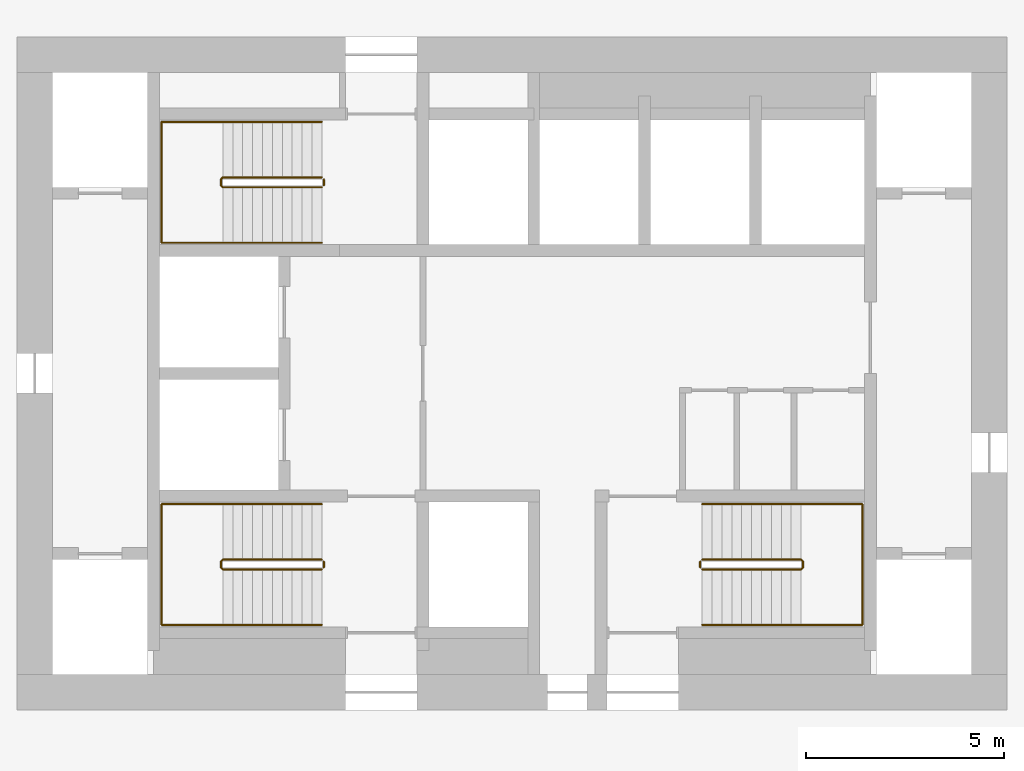
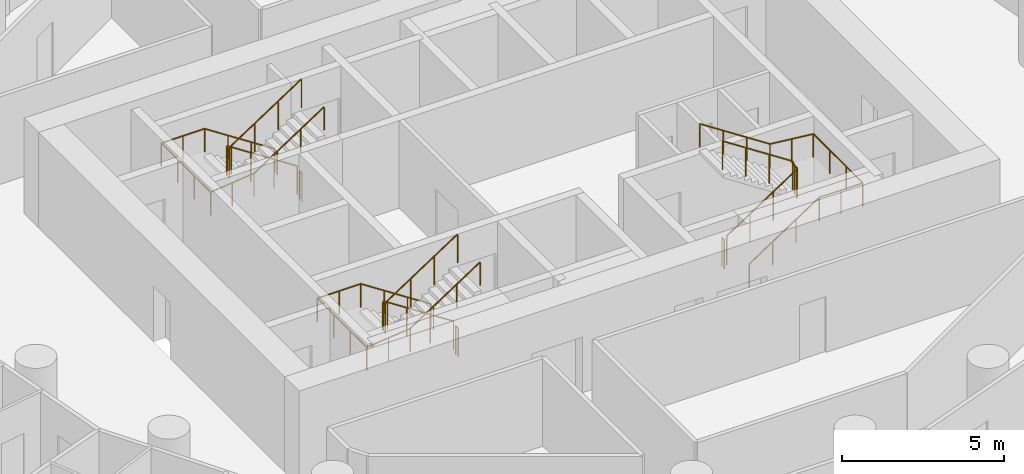
# One storey, part 9 of 9: 9 railings.
"""IFC4 building model written with IfcOpenShell, lengths in metres."""

from ifc_helpers import new_model, si_unit, direction, frame, origin, origin_2d, place, context, subcontext, project, spatial, circle, extrude, material, type_object, element, save


model = new_model("IFC4")

# Units and contexts
model_context = context("Model", 3, precision=1e-05, world=origin(), true_north=direction((0.0, 1.0)))
body_context = subcontext(model_context, "Body", "Model", "MODEL_VIEW")
ifc_project = project(units=[si_unit("LENGTHUNIT", "METRE"), si_unit("AREAUNIT", "SQUARE_METRE"), si_unit("VOLUMEUNIT", "CUBIC_METRE"), si_unit("PLANEANGLEUNIT", "RADIAN"), si_unit("MASSUNIT", "GRAM", prefix="KILO")], contexts=[model_context])

# Site, building, storey
site_placement = place(None, origin())
site = spatial("IfcSite", under=ifc_project, at=site_placement, CompositionType="ELEMENT")
building_placement = place(site_placement, origin())
building = spatial("IfcBuilding", under=site, at=building_placement, Name="Tracery Tower", CompositionType="ELEMENT")
storey_placement = place(building_placement, frame((0.0, 0.0, 201.60009765625)))
storey = spatial("IfcBuildingStorey", under=building, at=storey_placement, Name="L52", CompositionType="ELEMENT", Elevation=201.60009765625)

# Railings
ifc_material_1 = material(Name="Stainless steel and laminated glass", Category="steel")
railing_type_1 = type_object("IfcRailingType", Name="Stair guard 1100", PredefinedType="GUARDRAIL", material=ifc_material_1)
railing_1_placement = place(storey_placement, frame((-4.800048828125, -4.699951171875, 0.16357421875)))
element("IfcRailing", 1, at=railing_1_placement, inside=storey, type_object=railing_type_1, Name="L52 stair ST1 guard 1", PredefinedType="GUARDRAIL", context=body_context, shape_type="SweptSolid", body=[
    extrude(circle(Radius=0.02392578125, at=origin_2d()), frame((0.0, 0.0, 1.076171875), z_axis=(-0.836721939367, 0.0, 0.547627972425), x_axis=(0.0, -1.0, 0.0)), (0.0, 0.0, 1.0), 2.98779296875),
    extrude(circle(Radius=0.02392578125, at=origin_2d()), frame((-2.5, 0.0, 2.71240234375), z_axis=(-0.707106781187, -0.707106781187, 0.0), x_axis=(0.707106781187, -0.707106781187, 0.0)), (0.0, 0.0, 1.0), 0.07080078125),
    extrude(circle(Radius=0.02392578125, at=origin_2d()), frame((-2.550048828125, -0.050048828125, 2.71240234375), z_axis=(0.0, -1.0, 0.0), x_axis=(1.0, 0.0, 0.0)), (0.0, 0.0, 1.0), 0.14990234375),
    extrude(circle(Radius=0.02392578125, at=origin_2d()), frame((-2.550048828125, -0.199951171875, 2.71240234375), z_axis=(0.280456126637, -0.280456126637, 0.917980785237), x_axis=(0.707106781187, 0.707106781187, 0.0)), (0.0, 0.0, 1.0), 0.178466796875),
    extrude(circle(Radius=0.02392578125, at=origin_2d()), frame((-2.5, -0.25, 2.8759765625), z_axis=(0.836721939367, 0.0, 0.547627972425), x_axis=(0.0, 1.0, 0.0)), (0.0, 0.0, 1.0), 2.98779296875),
    extrude(circle(Radius=0.02099609375, at=origin_2d()), origin(), (0.0, 0.0, 1.0), 1.052001953125),
    extrude(circle(Radius=0.02099609375, at=origin_2d()), frame((-0.833251953125, 0.0, 0.54541015625)), (0.0, 0.0, 1.0), 1.052001953125),
    extrude(circle(Radius=0.02099609375, at=origin_2d()), frame((-1.666748046875, 0.0, 1.0908203125)), (0.0, 0.0, 1.0), 1.052001953125),
    extrude(circle(Radius=0.02099609375, at=origin_2d()), frame((-2.5, 0.0, 1.63623046875)), (0.0, 0.0, 1.0), 1.052001953125),
    extrude(circle(Radius=0.02099609375, at=origin_2d()), frame((-2.550048828125, -0.050048828125, 1.63623046875)), (0.0, 0.0, 1.0), 1.052001953125),
    extrude(circle(Radius=0.02099609375, at=origin_2d()), frame((-2.550048828125, -0.199951171875, 1.63623046875)), (0.0, 0.0, 1.0), 1.052001953125),
    extrude(circle(Radius=0.02099609375, at=origin_2d()), frame((-2.5, -0.25, 1.800048828125)), (0.0, 0.0, 1.0), 1.052001953125),
    extrude(circle(Radius=0.02099609375, at=origin_2d()), frame((-1.666748046875, -0.25, 2.345458984375)), (0.0, 0.0, 1.0), 1.052001953125),
    extrude(circle(Radius=0.02099609375, at=origin_2d()), frame((-0.833251953125, -0.25, 2.890869140625)), (0.0, 0.0, 1.0), 1.052001953125),
    extrude(circle(Radius=0.02099609375, at=origin_2d()), frame((0.0, -0.25, 3.436279296875)), (0.0, 0.0, 1.0), 1.052001953125),
])
railing_2_placement = place(storey_placement, frame((-4.75, -4.75, 0.0)))
element("IfcRailing", 2, at=railing_2_placement, inside=storey, type_object=railing_type_1, Name="L52 stair ST1 guard 2", PredefinedType="GUARDRAIL", context=body_context, shape_type="SweptSolid", body=[
    extrude(circle(Radius=0.02392578125, at=origin_2d()), frame((0.0, 0.0, 1.076171875), z_axis=(0.0, -1.0, 0.0), x_axis=(1.0, 0.0, 0.0)), (0.0, 0.0, 1.0), 0.14990234375),
    extrude(circle(Radius=0.02099609375, at=origin_2d()), origin(), (0.0, 0.0, 1.0), 1.052001953125),
    extrude(circle(Radius=0.02099609375, at=origin_2d()), frame((0.0, -0.14990234375, 0.0)), (0.0, 0.0, 1.0), 1.052001953125),
])
railing_3_placement = place(storey_placement, frame((-4.800048828125, 4.949951171875, 0.16357421875)))
element("IfcRailing", 3, at=railing_3_placement, inside=storey, type_object=railing_type_1, Name="L52 stair ST3 guard 1", PredefinedType="GUARDRAIL", context=body_context, shape_type="SweptSolid", body=[
    extrude(circle(Radius=0.02392578125, at=origin_2d()), frame((0.0, 0.0, 1.076171875), z_axis=(-0.836721939367, 0.0, 0.547627972425), x_axis=(0.0, -1.0, 0.0)), (0.0, 0.0, 1.0), 2.98779296875),
    extrude(circle(Radius=0.02392578125, at=origin_2d()), frame((-2.5, 0.0, 2.71240234375), z_axis=(-0.707106781187, -0.707106781187, 0.0), x_axis=(0.707106781187, -0.707106781187, 0.0)), (0.0, 0.0, 1.0), 0.07080078125),
    extrude(circle(Radius=0.02392578125, at=origin_2d()), frame((-2.550048828125, -0.050048828125, 2.71240234375), z_axis=(0.0, -1.0, 0.0), x_axis=(1.0, 0.0, 0.0)), (0.0, 0.0, 1.0), 0.14990234375),
    extrude(circle(Radius=0.02392578125, at=origin_2d()), frame((-2.550048828125, -0.199951171875, 2.71240234375), z_axis=(0.280456126637, -0.280456126637, 0.917980785237), x_axis=(0.707106781187, 0.707106781187, 0.0)), (0.0, 0.0, 1.0), 0.178466796875),
    extrude(circle(Radius=0.02392578125, at=origin_2d()), frame((-2.5, -0.25, 2.8759765625), z_axis=(0.836721939367, 0.0, 0.547627972425), x_axis=(0.0, 1.0, 0.0)), (0.0, 0.0, 1.0), 2.98779296875),
    extrude(circle(Radius=0.02099609375, at=origin_2d()), origin(), (0.0, 0.0, 1.0), 1.052001953125),
    extrude(circle(Radius=0.02099609375, at=origin_2d()), frame((-0.833251953125, 0.0, 0.54541015625)), (0.0, 0.0, 1.0), 1.052001953125),
    extrude(circle(Radius=0.02099609375, at=origin_2d()), frame((-1.666748046875, 0.0, 1.0908203125)), (0.0, 0.0, 1.0), 1.052001953125),
    extrude(circle(Radius=0.02099609375, at=origin_2d()), frame((-2.5, 0.0, 1.63623046875)), (0.0, 0.0, 1.0), 1.052001953125),
    extrude(circle(Radius=0.02099609375, at=origin_2d()), frame((-2.550048828125, -0.050048828125, 1.63623046875)), (0.0, 0.0, 1.0), 1.052001953125),
    extrude(circle(Radius=0.02099609375, at=origin_2d()), frame((-2.550048828125, -0.199951171875, 1.63623046875)), (0.0, 0.0, 1.0), 1.052001953125),
    extrude(circle(Radius=0.02099609375, at=origin_2d()), frame((-2.5, -0.25, 1.800048828125)), (0.0, 0.0, 1.0), 1.052001953125),
    extrude(circle(Radius=0.02099609375, at=origin_2d()), frame((-1.666748046875, -0.25, 2.345458984375)), (0.0, 0.0, 1.0), 1.052001953125),
    extrude(circle(Radius=0.02099609375, at=origin_2d()), frame((-0.833251953125, -0.25, 2.890869140625)), (0.0, 0.0, 1.0), 1.052001953125),
    extrude(circle(Radius=0.02099609375, at=origin_2d()), frame((0.0, -0.25, 3.436279296875)), (0.0, 0.0, 1.0), 1.052001953125),
])
railing_4_placement = place(storey_placement, frame((-4.75, 4.89990234375, 0.0)))
element("IfcRailing", 4, at=railing_4_placement, inside=storey, type_object=railing_type_1, Name="L52 stair ST3 guard 2", PredefinedType="GUARDRAIL", context=body_context, shape_type="SweptSolid", body=[
    extrude(circle(Radius=0.02392578125, at=origin_2d()), frame((0.0, 0.0, 1.076171875), z_axis=(0.0, -1.0, 0.0), x_axis=(1.0, 0.0, 0.0)), (0.0, 0.0, 1.0), 0.14990234375),
    extrude(circle(Radius=0.02099609375, at=origin_2d()), origin(), (0.0, 0.0, 1.0), 1.052001953125),
    extrude(circle(Radius=0.02099609375, at=origin_2d()), frame((0.0, -0.14990234375, 0.0)), (0.0, 0.0, 1.0), 1.052001953125),
])
railing_5_placement = place(storey_placement, frame((4.800048828125, -4.949951171875, 0.16357421875)))
element("IfcRailing", 5, at=railing_5_placement, inside=storey, type_object=railing_type_1, Name="L52 stair ST2 guard 1", PredefinedType="GUARDRAIL", context=body_context, shape_type="SweptSolid", body=[
    extrude(circle(Radius=0.02392578125, at=origin_2d()), frame((0.0, 0.0, 1.076171875), z_axis=(0.836721939367, 0.0, 0.547627972425), x_axis=(0.0, 1.0, 0.0)), (0.0, 0.0, 1.0), 2.98779296875),
    extrude(circle(Radius=0.02392578125, at=origin_2d()), frame((2.5, 0.0, 2.71240234375), z_axis=(0.707106781187, 0.707106781187, 0.0), x_axis=(-0.707106781187, 0.707106781187, 0.0)), (0.0, 0.0, 1.0), 0.07080078125),
    extrude(circle(Radius=0.02392578125, at=origin_2d()), frame((2.550048828125, 0.050048828125, 2.71240234375), z_axis=(0.0, 1.0, 0.0), x_axis=(-1.0, 0.0, 0.0)), (0.0, 0.0, 1.0), 0.14990234375),
    extrude(circle(Radius=0.02392578125, at=origin_2d()), frame((2.550048828125, 0.199951171875, 2.71240234375), z_axis=(-0.280456126637, 0.280456126637, 0.917980785237), x_axis=(-0.707106781187, -0.707106781187, 0.0)), (0.0, 0.0, 1.0), 0.178466796875),
    extrude(circle(Radius=0.02392578125, at=origin_2d()), frame((2.5, 0.25, 2.8759765625), z_axis=(-0.836721939367, 0.0, 0.547627972425), x_axis=(0.0, -1.0, 0.0)), (0.0, 0.0, 1.0), 2.98779296875),
    extrude(circle(Radius=0.02099609375, at=origin_2d()), origin(), (0.0, 0.0, 1.0), 1.052001953125),
    extrude(circle(Radius=0.02099609375, at=origin_2d()), frame((0.833251953125, 0.0, 0.54541015625)), (0.0, 0.0, 1.0), 1.052001953125),
    extrude(circle(Radius=0.02099609375, at=origin_2d()), frame((1.666748046875, 0.0, 1.0908203125)), (0.0, 0.0, 1.0), 1.052001953125),
    extrude(circle(Radius=0.02099609375, at=origin_2d()), frame((2.5, 0.0, 1.63623046875)), (0.0, 0.0, 1.0), 1.052001953125),
    extrude(circle(Radius=0.02099609375, at=origin_2d()), frame((2.550048828125, 0.050048828125, 1.63623046875)), (0.0, 0.0, 1.0), 1.052001953125),
    extrude(circle(Radius=0.02099609375, at=origin_2d()), frame((2.550048828125, 0.199951171875, 1.63623046875)), (0.0, 0.0, 1.0), 1.052001953125),
    extrude(circle(Radius=0.02099609375, at=origin_2d()), frame((2.5, 0.25, 1.800048828125)), (0.0, 0.0, 1.0), 1.052001953125),
    extrude(circle(Radius=0.02099609375, at=origin_2d()), frame((1.666748046875, 0.25, 2.345458984375)), (0.0, 0.0, 1.0), 1.052001953125),
    extrude(circle(Radius=0.02099609375, at=origin_2d()), frame((0.833251953125, 0.25, 2.890869140625)), (0.0, 0.0, 1.0), 1.052001953125),
    extrude(circle(Radius=0.02099609375, at=origin_2d()), frame((0.0, 0.25, 3.436279296875)), (0.0, 0.0, 1.0), 1.052001953125),
])
railing_6_placement = place(storey_placement, frame((4.75, -4.89990234375, 0.0)))
element("IfcRailing", 6, at=railing_6_placement, inside=storey, type_object=railing_type_1, Name="L52 stair ST2 guard 2", PredefinedType="GUARDRAIL", context=body_context, shape_type="SweptSolid", body=[
    extrude(circle(Radius=0.02392578125, at=origin_2d()), frame((0.0, 0.0, 1.076171875), z_axis=(0.0, 1.0, 0.0), x_axis=(-1.0, 0.0, 0.0)), (0.0, 0.0, 1.0), 0.14990234375),
    extrude(circle(Radius=0.02099609375, at=origin_2d()), origin(), (0.0, 0.0, 1.0), 1.052001953125),
    extrude(circle(Radius=0.02099609375, at=origin_2d()), frame((0.0, 0.14990234375, 0.0)), (0.0, 0.0, 1.0), 1.052001953125),
])
ifc_material_2 = material(Name="Stainless steel and laminated glass", Category="steel")
railing_type_2 = type_object("IfcRailingType", Name="Stair handrail 900", PredefinedType="HANDRAIL", material=ifc_material_2)
railing_7_placement = place(storey_placement, frame((-4.800048828125, -3.300048828125, 0.16357421875)))
element("IfcRailing", 7, at=railing_7_placement, inside=storey, type_object=railing_type_2, Name="L52 stair ST1 handrail 1", PredefinedType="HANDRAIL", context=body_context, shape_type="SweptSolid", body=[
    extrude(circle(Radius=0.02392578125, at=origin_2d()), frame((0.0, 0.0, 0.8759765625), z_axis=(-0.836721939367, 0.0, 0.547627972425), x_axis=(0.0, -1.0, 0.0)), (0.0, 0.0, 1.0), 2.98779296875),
    extrude(circle(Radius=0.02392578125, at=origin_2d()), frame((-2.5, 0.0, 2.51220703125), z_axis=(-1.0, 0.0, 0.0), x_axis=(0.0, -1.0, 0.0)), (0.0, 0.0, 1.0), 1.550048828125),
    extrude(circle(Radius=0.02392578125, at=origin_2d()), frame((-4.050048828125, 0.0, 2.51220703125), z_axis=(0.0, -1.0, 0.0), x_axis=(1.0, 0.0, 0.0)), (0.0, 0.0, 1.0), 3.050048828125),
    extrude(circle(Radius=0.02392578125, at=origin_2d()), frame((-4.050048828125, -3.050048828125, 2.51220703125), z_axis=(0.994461594632, 0.0, 0.105100603244), x_axis=(0.0, 1.0, 0.0)), (0.0, 0.0, 1.0), 1.55859375),
    extrude(circle(Radius=0.02392578125, at=origin_2d()), frame((-2.5, -3.050048828125, 2.67578125), z_axis=(0.836721939367, 0.0, 0.547627972425), x_axis=(0.0, 1.0, 0.0)), (0.0, 0.0, 1.0), 2.98779296875),
    extrude(circle(Radius=0.02099609375, at=origin_2d()), origin(), (0.0, 0.0, 1.0), 0.851806640625),
    extrude(circle(Radius=0.02099609375, at=origin_2d()), frame((-0.833251953125, 0.0, 0.54541015625)), (0.0, 0.0, 1.0), 0.851806640625),
    extrude(circle(Radius=0.02099609375, at=origin_2d()), frame((-1.666748046875, 0.0, 1.0908203125)), (0.0, 0.0, 1.0), 0.851806640625),
    extrude(circle(Radius=0.02099609375, at=origin_2d()), frame((-2.5, 0.0, 1.63623046875)), (0.0, 0.0, 1.0), 0.851806640625),
    extrude(circle(Radius=0.02099609375, at=origin_2d()), frame((-3.27490234375, 0.0, 1.63623046875)), (0.0, 0.0, 1.0), 0.851806640625),
    extrude(circle(Radius=0.02099609375, at=origin_2d()), frame((-4.050048828125, 0.0, 1.63623046875)), (0.0, 0.0, 1.0), 0.851806640625),
    extrude(circle(Radius=0.02099609375, at=origin_2d()), frame((-4.050048828125, -1.0166015625, 1.63623046875)), (0.0, 0.0, 1.0), 0.851806640625),
    extrude(circle(Radius=0.02099609375, at=origin_2d()), frame((-4.050048828125, -2.033447265625, 1.63623046875)), (0.0, 0.0, 1.0), 0.851806640625),
    extrude(circle(Radius=0.02099609375, at=origin_2d()), frame((-4.050048828125, -3.050048828125, 1.63623046875)), (0.0, 0.0, 1.0), 0.851806640625),
    extrude(circle(Radius=0.02099609375, at=origin_2d()), frame((-3.27490234375, -3.050048828125, 1.71826171875)), (0.0, 0.0, 1.0), 0.851806640625),
    extrude(circle(Radius=0.02099609375, at=origin_2d()), frame((-2.5, -3.050048828125, 1.800048828125)), (0.0, 0.0, 1.0), 0.851806640625),
    extrude(circle(Radius=0.02099609375, at=origin_2d()), frame((-1.666748046875, -3.050048828125, 2.345458984375)), (0.0, 0.0, 1.0), 0.851806640625),
    extrude(circle(Radius=0.02099609375, at=origin_2d()), frame((-0.833251953125, -3.050048828125, 2.890869140625)), (0.0, 0.0, 1.0), 0.851806640625),
    extrude(circle(Radius=0.02099609375, at=origin_2d()), frame((0.0, -3.050048828125, 3.436279296875)), (0.0, 0.0, 1.0), 0.851806640625),
])
railing_8_placement = place(storey_placement, frame((-4.800048828125, 6.35009765625, 0.16357421875)))
element("IfcRailing", 8, at=railing_8_placement, inside=storey, type_object=railing_type_2, Name="L52 stair ST3 handrail 1", PredefinedType="HANDRAIL", context=body_context, shape_type="SweptSolid", body=[
    extrude(circle(Radius=0.02392578125, at=origin_2d()), frame((0.0, 0.0, 0.8759765625), z_axis=(-0.836721939367, 0.0, 0.547627972425), x_axis=(0.0, -1.0, 0.0)), (0.0, 0.0, 1.0), 2.98779296875),
    extrude(circle(Radius=0.02392578125, at=origin_2d()), frame((-2.5, 0.0, 2.51220703125), z_axis=(-1.0, 0.0, 0.0), x_axis=(0.0, -1.0, 0.0)), (0.0, 0.0, 1.0), 1.550048828125),
    extrude(circle(Radius=0.02392578125, at=origin_2d()), frame((-4.050048828125, 0.0, 2.51220703125), z_axis=(0.0, -1.0, 0.0), x_axis=(1.0, 0.0, 0.0)), (0.0, 0.0, 1.0), 3.050048828125),
    extrude(circle(Radius=0.02392578125, at=origin_2d()), frame((-4.050048828125, -3.050048828125, 2.51220703125), z_axis=(0.994461594632, 0.0, 0.105100603244), x_axis=(0.0, 1.0, 0.0)), (0.0, 0.0, 1.0), 1.55859375),
    extrude(circle(Radius=0.02392578125, at=origin_2d()), frame((-2.5, -3.050048828125, 2.67578125), z_axis=(0.836721939367, 0.0, 0.547627972425), x_axis=(0.0, 1.0, 0.0)), (0.0, 0.0, 1.0), 2.98779296875),
    extrude(circle(Radius=0.02099609375, at=origin_2d()), origin(), (0.0, 0.0, 1.0), 0.851806640625),
    extrude(circle(Radius=0.02099609375, at=origin_2d()), frame((-0.833251953125, 0.0, 0.54541015625)), (0.0, 0.0, 1.0), 0.851806640625),
    extrude(circle(Radius=0.02099609375, at=origin_2d()), frame((-1.666748046875, 0.0, 1.0908203125)), (0.0, 0.0, 1.0), 0.851806640625),
    extrude(circle(Radius=0.02099609375, at=origin_2d()), frame((-2.5, 0.0, 1.63623046875)), (0.0, 0.0, 1.0), 0.851806640625),
    extrude(circle(Radius=0.02099609375, at=origin_2d()), frame((-3.27490234375, 0.0, 1.63623046875)), (0.0, 0.0, 1.0), 0.851806640625),
    extrude(circle(Radius=0.02099609375, at=origin_2d()), frame((-4.050048828125, 0.0, 1.63623046875)), (0.0, 0.0, 1.0), 0.851806640625),
    extrude(circle(Radius=0.02099609375, at=origin_2d()), frame((-4.050048828125, -1.0166015625, 1.63623046875)), (0.0, 0.0, 1.0), 0.851806640625),
    extrude(circle(Radius=0.02099609375, at=origin_2d()), frame((-4.050048828125, -2.033447265625, 1.63623046875)), (0.0, 0.0, 1.0), 0.851806640625),
    extrude(circle(Radius=0.02099609375, at=origin_2d()), frame((-4.050048828125, -3.050048828125, 1.63623046875)), (0.0, 0.0, 1.0), 0.851806640625),
    extrude(circle(Radius=0.02099609375, at=origin_2d()), frame((-3.27490234375, -3.050048828125, 1.71826171875)), (0.0, 0.0, 1.0), 0.851806640625),
    extrude(circle(Radius=0.02099609375, at=origin_2d()), frame((-2.5, -3.050048828125, 1.800048828125)), (0.0, 0.0, 1.0), 0.851806640625),
    extrude(circle(Radius=0.02099609375, at=origin_2d()), frame((-1.666748046875, -3.050048828125, 2.345458984375)), (0.0, 0.0, 1.0), 0.851806640625),
    extrude(circle(Radius=0.02099609375, at=origin_2d()), frame((-0.833251953125, -3.050048828125, 2.890869140625)), (0.0, 0.0, 1.0), 0.851806640625),
    extrude(circle(Radius=0.02099609375, at=origin_2d()), frame((0.0, -3.050048828125, 3.436279296875)), (0.0, 0.0, 1.0), 0.851806640625),
])
railing_9_placement = place(storey_placement, frame((4.800048828125, -6.35009765625, 0.16357421875)))
element("IfcRailing", 9, at=railing_9_placement, inside=storey, type_object=railing_type_2, Name="L52 stair ST2 handrail 1", PredefinedType="HANDRAIL", context=body_context, shape_type="SweptSolid", body=[
    extrude(circle(Radius=0.02392578125, at=origin_2d()), frame((0.0, 0.0, 0.8759765625), z_axis=(0.836721939367, 0.0, 0.547627972425), x_axis=(0.0, 1.0, 0.0)), (0.0, 0.0, 1.0), 2.98779296875),
    extrude(circle(Radius=0.02392578125, at=origin_2d()), frame((2.5, 0.0, 2.51220703125), z_axis=(1.0, 0.0, 0.0), x_axis=(0.0, 1.0, 0.0)), (0.0, 0.0, 1.0), 1.550048828125),
    extrude(circle(Radius=0.02392578125, at=origin_2d()), frame((4.050048828125, 0.0, 2.51220703125), z_axis=(0.0, 1.0, 0.0), x_axis=(-1.0, 0.0, 0.0)), (0.0, 0.0, 1.0), 3.050048828125),
    extrude(circle(Radius=0.02392578125, at=origin_2d()), frame((4.050048828125, 3.050048828125, 2.51220703125), z_axis=(-0.994461594632, 0.0, 0.105100603244), x_axis=(0.0, -1.0, 0.0)), (0.0, 0.0, 1.0), 1.55859375),
    extrude(circle(Radius=0.02392578125, at=origin_2d()), frame((2.5, 3.050048828125, 2.67578125), z_axis=(-0.836721939367, 0.0, 0.547627972425), x_axis=(0.0, -1.0, 0.0)), (0.0, 0.0, 1.0), 2.98779296875),
    extrude(circle(Radius=0.02099609375, at=origin_2d()), origin(), (0.0, 0.0, 1.0), 0.851806640625),
    extrude(circle(Radius=0.02099609375, at=origin_2d()), frame((0.833251953125, 0.0, 0.54541015625)), (0.0, 0.0, 1.0), 0.851806640625),
    extrude(circle(Radius=0.02099609375, at=origin_2d()), frame((1.666748046875, 0.0, 1.0908203125)), (0.0, 0.0, 1.0), 0.851806640625),
    extrude(circle(Radius=0.02099609375, at=origin_2d()), frame((2.5, 0.0, 1.63623046875)), (0.0, 0.0, 1.0), 0.851806640625),
    extrude(circle(Radius=0.02099609375, at=origin_2d()), frame((3.27490234375, 0.0, 1.63623046875)), (0.0, 0.0, 1.0), 0.851806640625),
    extrude(circle(Radius=0.02099609375, at=origin_2d()), frame((4.050048828125, 0.0, 1.63623046875)), (0.0, 0.0, 1.0), 0.851806640625),
    extrude(circle(Radius=0.02099609375, at=origin_2d()), frame((4.050048828125, 1.0166015625, 1.63623046875)), (0.0, 0.0, 1.0), 0.851806640625),
    extrude(circle(Radius=0.02099609375, at=origin_2d()), frame((4.050048828125, 2.033447265625, 1.63623046875)), (0.0, 0.0, 1.0), 0.851806640625),
    extrude(circle(Radius=0.02099609375, at=origin_2d()), frame((4.050048828125, 3.050048828125, 1.63623046875)), (0.0, 0.0, 1.0), 0.851806640625),
    extrude(circle(Radius=0.02099609375, at=origin_2d()), frame((3.27490234375, 3.050048828125, 1.71826171875)), (0.0, 0.0, 1.0), 0.851806640625),
    extrude(circle(Radius=0.02099609375, at=origin_2d()), frame((2.5, 3.050048828125, 1.800048828125)), (0.0, 0.0, 1.0), 0.851806640625),
    extrude(circle(Radius=0.02099609375, at=origin_2d()), frame((1.666748046875, 3.050048828125, 2.345458984375)), (0.0, 0.0, 1.0), 0.851806640625),
    extrude(circle(Radius=0.02099609375, at=origin_2d()), frame((0.833251953125, 3.050048828125, 2.890869140625)), (0.0, 0.0, 1.0), 0.851806640625),
    extrude(circle(Radius=0.02099609375, at=origin_2d()), frame((0.0, 3.050048828125, 3.436279296875)), (0.0, 0.0, 1.0), 0.851806640625),
])

save(model, "model.ifc")
